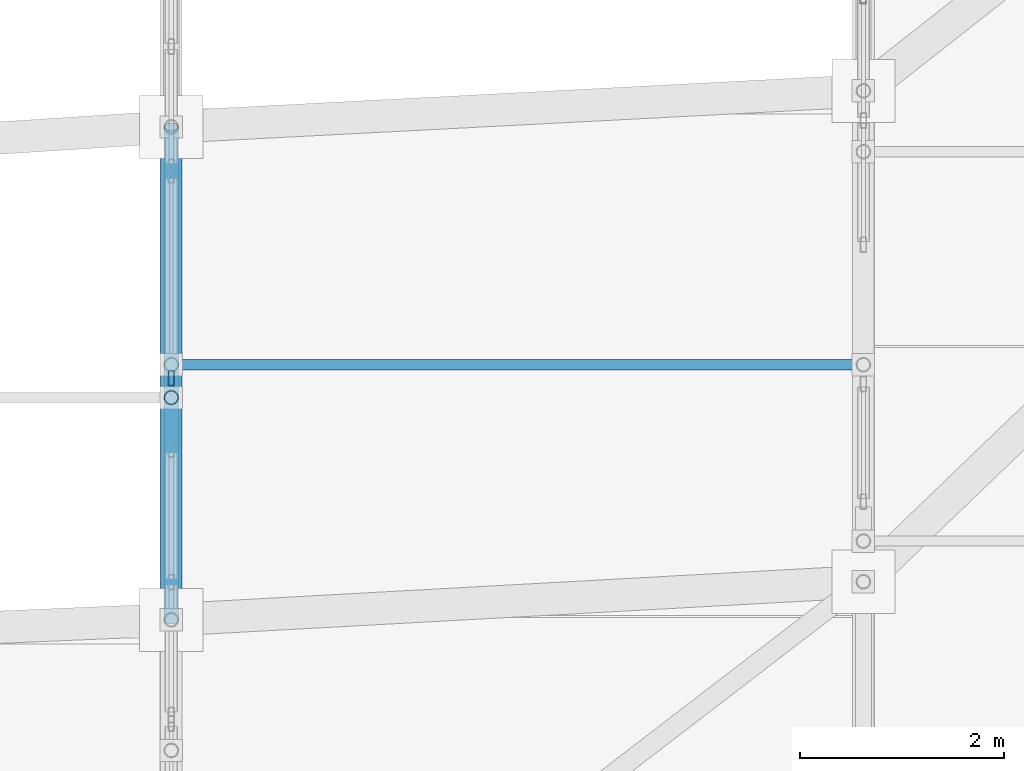
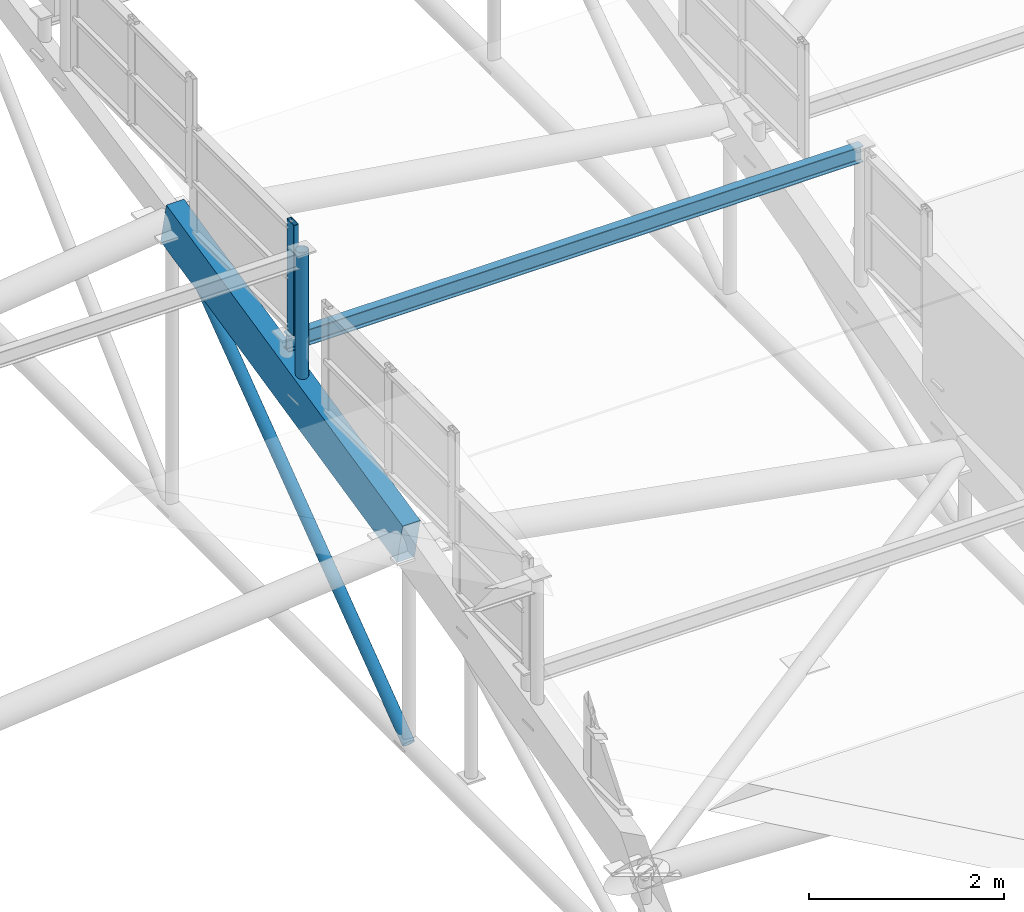
# One storey, part 75 of 188: 5 members, 1 element without a shape of its own.
"""IFC4 building model written with IfcOpenShell, lengths in metres."""

from ifc_helpers import new_model, si_unit, direction, frame, origin, origin_2d, place, context, subcontext, project, spatial, rectangle, hollow_rectangle, hollow_circle, i_section, extrude, material, layer, layer_set, material_profile, profile_set, type_object, element, aggregate, save


model = new_model("IFC4")

# Units and contexts
model_context = context("Model", 3, precision=1e-05, world=origin(), true_north=direction((0.0, 1.0)))
body_context = subcontext(model_context, "Body", "Model", "MODEL_VIEW")
ifc_project = project(units=[si_unit("LENGTHUNIT", "METRE"), si_unit("AREAUNIT", "SQUARE_METRE"), si_unit("VOLUMEUNIT", "CUBIC_METRE"), si_unit("PLANEANGLEUNIT", "RADIAN"), si_unit("MASSUNIT", "GRAM", prefix="KILO")], contexts=[model_context])

# Site, building, storey
site_placement = place(None, origin())
site = spatial("IfcSite", under=ifc_project, at=site_placement, CompositionType="ELEMENT")
building_placement = place(site_placement, origin())
building = spatial("IfcBuilding", under=site, at=building_placement, Name="Kisaragi Civic Commons", CompositionType="ELEMENT")
storey_placement = place(building_placement, frame((0.0, 0.0, 9.60009765625)))
storey = spatial("IfcBuildingStorey", under=building, at=storey_placement, Name="L02", CompositionType="ELEMENT", Elevation=9.60009765625)

# Curtain wall, member
ifc_material_1 = material(Name="Thermally broken anodized aluminium and low-E double glazing", Category="aluminium")
ifc_layer = layer(ifc_material_1, 0.14990234375, Name="Thermally broken anodized aluminium and low-E double glazing", Category="aluminium")
ifc_layer_set = layer_set([ifc_layer], Name="Thermally broken anodized aluminium and low-E double glazing")
curtain_wall_type = type_object("IfcCurtainWallType", Name="CW-03", PredefinedType="NOTDEFINED", material=ifc_layer_set)
curtain_wall_placement = place(storey_placement, origin())
curtain_wall = element("IfcCurtainWall", 1, at=curtain_wall_placement, inside=storey, type_object=curtain_wall_type, Name="L02 curtain wall CW-03 CW-CL-V2-196", PredefinedType="NOTDEFINED")
ifc_material_profile_1 = material_profile(ifc_material_1, hollow_rectangle(XDim=0.06005859375, YDim=0.14990234375, WallThickness=0.00390625, InnerFilletRadius=0.00390625, OuterFilletRadius=0.008056640625, at=origin_2d()), Name="CWM-60x150x4", Category="aluminium")
ifc_profile_set_1 = profile_set([ifc_material_profile_1], Name="Thermally broken anodized aluminium and low-E double glazing")
member_type_1 = type_object("IfcMemberType", Name="CWM-01", PredefinedType="MULLION", material=ifc_profile_set_1)
member_1_placement = place(storey_placement, frame((20.39990234375, 91.257080078125, 3.319580078125), z_axis=(0.0, 0.0, 1.0), x_axis=(-1.0, 0.0, 0.0)))
member_1 = element("IfcMember", 2, at=member_1_placement, type_object=member_type_1, Name="CW-03 mullion 1", PredefinedType="MULLION", context=body_context, shape_type="SweptSolid", body=[
    extrude(hollow_rectangle(XDim=0.06005859375, YDim=0.14990234375, WallThickness=0.00390625, InnerFilletRadius=0.00390625, OuterFilletRadius=0.008056640625, at=origin_2d()), origin(), (0.0, 0.0, 1.0), 1.38525390625),
])
aggregate(curtain_wall, [member_1])

# Members
ifc_material_2 = material(Name="Glulam E120-F330", Category="wood")
ifc_material_profile_2 = material_profile(ifc_material_2, rectangle(XDim=0.2099609375, YDim=0.5400390625, at=origin_2d()), Name="GL-210x540", Category="wood")
ifc_profile_set_2 = profile_set([ifc_material_profile_2], Name="Glulam E120-F330")
member_type_2 = type_object("IfcMemberType", Name="GR-04", PredefinedType="RAFTER", material=ifc_profile_set_2)
member_2_placement = place(storey_placement, frame((20.39990234375, 88.883544921875, 2.137939453125), z_axis=(0.0, 0.975895566775, 0.218238041481), x_axis=(-1.0, 0.0, 0.0)))
element("IfcMember", 3, at=member_2_placement, inside=storey, type_object=member_type_2, Name="V2 glulam arch rib GR-04 27", PredefinedType="RAFTER", context=body_context, shape_type="SweptSolid", body=[
    extrude(rectangle(XDim=0.2099609375, YDim=0.5400390625, at=origin_2d()), origin(), (0.0, 0.0, 1.0), 4.96142578125),
])
ifc_material_3 = material(Name="Steel SN400 (SN400B)", Category="steel")
ifc_material_profile_3 = material_profile(ifc_material_3, i_section(OverallWidth=0.10009765625, OverallDepth=0.199951171875, WebThickness=0.005615234375, FlangeThickness=0.008056640625, FilletRadius=0.008056640625, at=origin_2d()), Name="H-200x100x5.5x8", Category="steel")
ifc_profile_set_3 = profile_set([ifc_material_profile_3], Name="Steel SN400 (SN400B)")
member_type_3 = type_object("IfcMemberType", Name="PR-02", PredefinedType="PURLIN", material=ifc_profile_set_3)
member_3_placement = place(storey_placement, frame((20.39990234375, 91.3896484375, 3.116455078125), z_axis=(1.0, 0.0, 0.0), x_axis=(0.0, 1.0, 0.0)))
element("IfcMember", 4, at=member_3_placement, inside=storey, type_object=member_type_3, Name="V2 wave vault steel purlin 27", PredefinedType="PURLIN", context=body_context, shape_type="SweptSolid", body=[
    extrude(i_section(OverallWidth=0.10009765625, OverallDepth=0.199951171875, WebThickness=0.005615234375, FlangeThickness=0.008056640625, FilletRadius=0.008056640625, at=origin_2d()), origin(), (0.0, 0.0, 1.0), 6.800048828125),
])
ifc_material_4 = material(Name="Steel SN490 (SN490B)", Category="steel")
ifc_material_profile_4 = material_profile(ifc_material_4, hollow_circle(Radius=0.06982421875, WallThickness=0.006103515625, at=origin_2d()), Name="CHS-139.8x6.0", Category="steel")
ifc_profile_set_4 = profile_set([ifc_material_profile_4], Name="Steel SN490 (SN490B)")
member_type_4 = type_object("IfcMemberType", Name="ST-H1", PredefinedType="STRUT", material=ifc_profile_set_4)
member_4_placement = place(storey_placement, frame((20.39990234375, 88.883544921875, -0.385009765625), z_axis=(0.0, 0.802033629949, 0.597278876599), x_axis=(-1.0, 0.0, 0.0)))
element("IfcMember", 5, at=member_4_placement, inside=storey, type_object=member_type_4, Name="V2 tied arch truss diagonal web strut 53", PredefinedType="STRUT", context=body_context, shape_type="SweptSolid", body=[
    extrude(hollow_circle(Radius=0.06982421875, WallThickness=0.006103515625, at=origin_2d()), origin(), (0.0, 0.0, 1.0), 6.036865234375),
])
member_5_placement = place(storey_placement, frame((20.39990234375, 91.06689453125, 2.626220703125), z_axis=(0.0, 0.0, 1.0), x_axis=(1.0, 0.0, 0.0)))
element("IfcMember", 6, at=member_5_placement, inside=storey, type_object=member_type_4, Name="V2 clerestory monitor horizontal tie strut 3.3.3", PredefinedType="STRUT", context=body_context, shape_type="SweptSolid", body=[
    extrude(hollow_circle(Radius=0.06982421875, WallThickness=0.006103515625, at=origin_2d()), origin(), (0.0, 0.0, 1.0), 1.843994140625),
])

save(model, "model.ifc")
